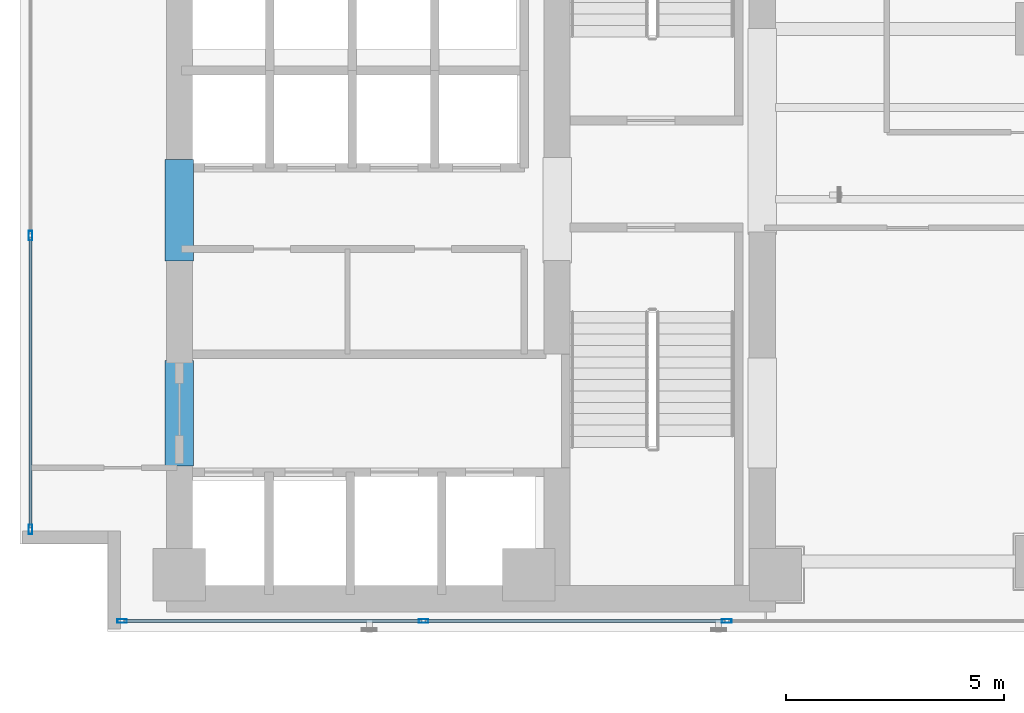
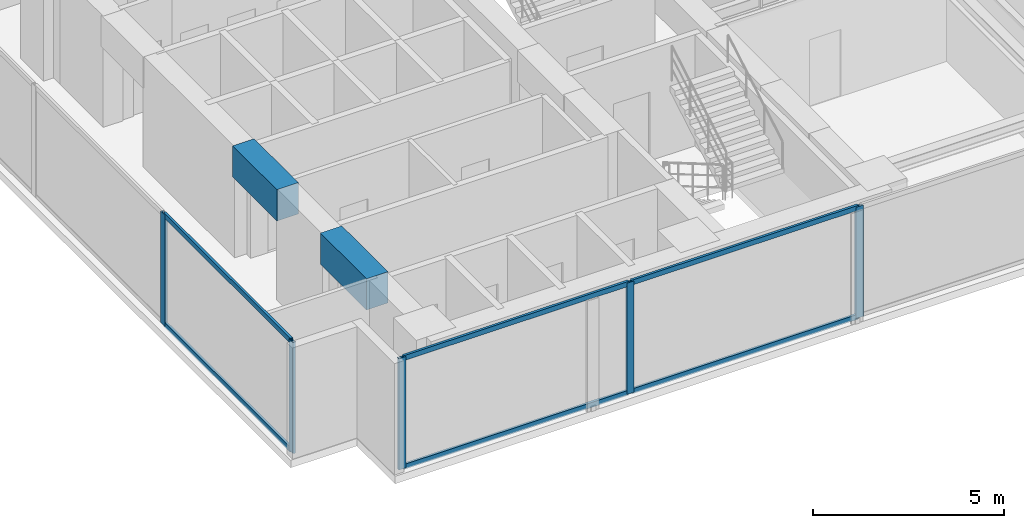
# One storey, part 2 of 24: 11 members, 2 beams, 2 elements without a shape of their own.
"""IFC4 building model written with IfcOpenShell, lengths in metres."""

import ifcopenshell
import ifcopenshell.guid

model = None  # the IFC model being written
_history = None  # IfcOwnerHistory: only IFC2X3 demands one
_inside = {}  # id of a spatial element -> (the spatial element, [elements in it])
_under = {}  # id of a project, library or spatial element -> (it, [spatial elements below it])
_declared = {}  # id of a project -> (the project, [libraries it declares])
_typed = {}  # id of a type object -> (the type object, [elements of that type])
_made_of = {}  # id of a material, layer set ... -> (it, [elements and type objects made of it])


def new_model(schema):
    """Start an empty IFC model of exactly this schema.

    Asked for "IFC4X3", IfcOpenShell would pick the latest addendum, in which some entities
    have other attributes; the version numbers below select the first issue.
    IFC2X3 requires an IfcOwnerHistory on every rooted entity: one is made here for all.
    """
    global model, _history
    if schema == "IFC4X3":
        model = ifcopenshell.file(schema_version=(4, 3, 0, 0))
    else:
        model = ifcopenshell.file(schema=schema)
    _inside.clear()
    _under.clear()
    _declared.clear()
    _typed.clear()
    _made_of.clear()
    _history = None
    if model.schema == "IFC2X3":
        org = make("IfcOrganization", Name="unknown")
        user = make(
            "IfcPersonAndOrganization",
            ThePerson=make("IfcPerson", FamilyName="unknown"),
            TheOrganization=org,
        )
        app = make(
            "IfcApplication",
            ApplicationDeveloper=org,
            Version="unknown",
            ApplicationFullName="unknown",
            ApplicationIdentifier="unknown",
        )
        _history = make(
            "IfcOwnerHistory",
            OwningUser=user,
            OwningApplication=app,
            ChangeAction="ADDED",
            CreationDate=0,
        )
    return model


def make(cls, **values):
    """One entity of the class cls with the attributes given. An attribute that is None is left unset."""
    return model.create_entity(
        cls, **{name: value for name, value in values.items() if value is not None}
    )


def rooted(cls, **values):
    """An entity with a GlobalId (a new one), such as an element, a storey or a relation."""
    return make(cls, GlobalId=ifcopenshell.guid.new(), OwnerHistory=_history, **values)


def si_unit(unit_type, name, prefix=None):
    """IfcSIUnit, for example si_unit("LENGTHUNIT", "METRE", prefix="MILLI")."""
    return make("IfcSIUnit", UnitType=unit_type, Prefix=prefix, Name=name)


def assignment(units):
    """IfcUnitAssignment: the units of a project."""
    return None if units is None else make("IfcUnitAssignment", Units=units)


def point(xyz):
    """IfcCartesianPoint."""
    return None if xyz is None else make("IfcCartesianPoint", Coordinates=xyz)


def direction(xyz):
    """IfcDirection."""
    return None if xyz is None else make("IfcDirection", DirectionRatios=xyz)


def frame(location, z_axis=None, x_axis=None):
    """IfcAxis2Placement3D, a coordinate frame: its origin and axes. An axis left out is left unset."""
    return make(
        "IfcAxis2Placement3D",
        Location=point(location),
        Axis=direction(z_axis),
        RefDirection=direction(x_axis),
    )


def frame_2d(location, x_axis=None):
    """IfcAxis2Placement2D, a coordinate frame in the plane: its origin and x axis."""
    return make(
        "IfcAxis2Placement2D", Location=point(location), RefDirection=direction(x_axis)
    )


def origin():
    """The frame at (0, 0, 0) with its axes left unset."""
    return frame((0.0, 0.0, 0.0))


def origin_with_axes():
    """The frame at (0, 0, 0) with the z axis (0, 0, 1) and the x axis (1, 0, 0) written out."""
    return frame((0.0, 0.0, 0.0), z_axis=(0.0, 0.0, 1.0), x_axis=(1.0, 0.0, 0.0))


def origin_2d():
    """The frame at (0, 0) in the plane with its x axis left unset."""
    return frame_2d((0.0, 0.0))


def place(relative_to, where):
    """IfcLocalPlacement: puts the frame where relative to a parent placement (None: the world)."""
    return make(
        "IfcLocalPlacement", PlacementRelTo=relative_to, RelativePlacement=where
    )


def context(
    kind, dimensions, precision=None, world=None, true_north=None, identifier=None
):
    """IfcGeometricRepresentationContext, for example the 3D "Model" context."""
    return make(
        "IfcGeometricRepresentationContext",
        ContextIdentifier=identifier,
        ContextType=kind,
        CoordinateSpaceDimension=dimensions,
        Precision=precision,
        WorldCoordinateSystem=world,
        TrueNorth=true_north,
    )


def subcontext(parent, identifier, kind, view, scale=None):
    """IfcGeometricRepresentationSubContext, for example "Body" below "Model"."""
    return make(
        "IfcGeometricRepresentationSubContext",
        ContextIdentifier=identifier,
        ContextType=kind,
        ParentContext=parent,
        TargetScale=scale,
        TargetView=view,
    )


def project(units=None, contexts=None):
    """IfcProject with its units and contexts."""
    return rooted(
        "IfcProject",
        Name="project",
        RepresentationContexts=contexts,
        UnitsInContext=assignment(units),
    )


def spatial(cls, under=None, at=None, **own):
    """A site, building, storey or space (cls), placed at a placement, below another one or the project."""
    s = rooted(cls, ObjectPlacement=at, **own)
    if under is not None:
        _under.setdefault(under.id(), (under, []))[1].append(s)
    return s


def profile(cls, at=None, kind="AREA", **sizes):
    """A parametric profile (cls). Its sizes go by their IFC names, for example OverallWidth=200.0."""
    return make(cls, ProfileType=kind, Position=at, **sizes)


def rectangle(**sizes):
    """IfcRectangleProfileDef."""
    return profile("IfcRectangleProfileDef", **sizes)


def hollow_rectangle(**sizes):
    """IfcRectangleHollowProfileDef."""
    return profile("IfcRectangleHollowProfileDef", **sizes)


def extrude(swept, where, along, depth):
    """IfcExtrudedAreaSolid: the profile swept, set in the frame where, extruded along a direction by depth."""
    return make(
        "IfcExtrudedAreaSolid",
        SweptArea=swept,
        Position=where,
        ExtrudedDirection=direction(along),
        Depth=depth,
    )


def shape(context_of_items, identifier, shape_type, items):
    """IfcShapeRepresentation: the items that make up one representation, for example the "Body"."""
    return make(
        "IfcShapeRepresentation",
        ContextOfItems=context_of_items,
        RepresentationIdentifier=identifier,
        RepresentationType=shape_type,
        Items=items,
    )


def source(mapping_origin, context_of_items, identifier, shape_type, items):
    """IfcRepresentationMap: a shape defined once, which mapped items show again and again."""
    return make(
        "IfcRepresentationMap",
        MappingOrigin=mapping_origin,
        MappedRepresentation=shape(context_of_items, identifier, shape_type, items),
    )


def transform(
    local_origin,
    x_axis=None,
    y_axis=None,
    z_axis=None,
    scale=None,
    scale2=None,
    scale3=None,
    uniform=True,
):
    """IfcCartesianTransformationOperator3D, or its non-uniform kind. x_axis, y_axis, z_axis: its Axis1, 2, 3."""
    if uniform:
        return make(
            "IfcCartesianTransformationOperator3D",
            Axis1=direction(x_axis),
            Axis2=direction(y_axis),
            LocalOrigin=point(local_origin),
            Scale=scale,
            Axis3=direction(z_axis),
        )
    return make(
        "IfcCartesianTransformationOperator3DnonUniform",
        Axis1=direction(x_axis),
        Axis2=direction(y_axis),
        LocalOrigin=point(local_origin),
        Scale=scale,
        Axis3=direction(z_axis),
        Scale2=scale2,
        Scale3=scale3,
    )


def mapped(mapping_source, mapping_target):
    """IfcMappedItem: shows the shape of a source again, moved by a transform."""
    return make(
        "IfcMappedItem", MappingSource=mapping_source, MappingTarget=mapping_target
    )


def material(Name=None, Category=None):
    """IfcMaterial."""
    return make("IfcMaterial", Name=Name, Category=Category)


def layer(
    of_material, thickness, ventilated=None, Name=None, Category=None, Priority=None
):
    """IfcMaterialLayer: one layer of a wall or slab, of a material (None: an air gap)."""
    return make(
        "IfcMaterialLayer",
        Material=of_material,
        LayerThickness=thickness,
        IsVentilated=ventilated,
        Name=Name,
        Category=Category,
        Priority=Priority,
    )


def layer_set(layers, Name=None):
    """IfcMaterialLayerSet."""
    return make("IfcMaterialLayerSet", MaterialLayers=layers, LayerSetName=Name)


def material_profile(
    of_material, cross_section, Name=None, Category=None, Priority=None
):
    """IfcMaterialProfile: a cross section and its material."""
    return make(
        "IfcMaterialProfile",
        Name=Name,
        Material=of_material,
        Profile=cross_section,
        Priority=Priority,
        Category=Category,
    )


def profile_set(profiles, Name=None, composite=None):
    """IfcMaterialProfileSet."""
    return make(
        "IfcMaterialProfileSet",
        Name=Name,
        MaterialProfiles=profiles,
        CompositeProfile=composite,
    )


def made_of(thing, what):
    """Note that an element or type object is made of a material, layer set ...; save() writes the relation."""
    if what is not None:
        _made_of.setdefault(what.id(), (what, []))[1].append(thing)
    return thing


def type_object(cls, material=None, **own):
    """A type object (cls), such as IfcWallType, which elements share."""
    return made_of(rooted(cls, **own), material)


def element(
    cls,
    number,
    at=None,
    inside=None,
    cuts=None,
    type_object=None,
    material=None,
    context=None,
    identifier="Body",
    shape_type=None,
    held_by="IfcProductDefinitionShape",
    body=None,
    shapes=None,
    **own,
):
    """One element of the class cls, such as IfcWall. Its Tag is "e" and its number.

    at: its placement. inside: the storey or other place that contains it. cuts: it is an
    opening in that element (IfcRelVoidsElement). A single representation is given by context,
    identifier, shape_type and body (its items); several are given by shapes. held_by: the class
    of the entity that holds the representations. save() writes the other relations.
    """
    e = rooted(cls, Tag="e%d" % number, ObjectPlacement=at, **own)
    if body is not None:
        shapes = [shape(context, identifier, shape_type, body)]
    if shapes is not None:
        e.Representation = make(held_by, Representations=shapes)
    if inside is not None:
        _inside.setdefault(inside.id(), (inside, []))[1].append(e)
    if cuts is not None:
        rooted(
            "IfcRelVoidsElement", RelatingBuildingElement=cuts, RelatedOpeningElement=e
        )
    if type_object is not None:
        _typed.setdefault(type_object.id(), (type_object, []))[1].append(e)
    return made_of(e, material)


def aggregate(whole, parts):
    """IfcRelAggregates: a whole, such as a stair, and the parts it consists of."""
    return rooted("IfcRelAggregates", RelatingObject=whole, RelatedObjects=parts)


def save(model, path):
    """Write the relations noted so far, then the file.

    IfcRelAggregates (storeys below a building ...), IfcRelContainedInSpatialStructure (elements
    in a storey), IfcRelDefinesByType, IfcRelAssociatesMaterial and IfcRelDeclares: one each for
    every whole, place, type object, material and project.
    """
    for whole, parts in _under.values():
        aggregate(whole, parts)
    for where, things in _inside.values():
        rooted(
            "IfcRelContainedInSpatialStructure",
            RelatedElements=things,
            RelatingStructure=where,
        )
    for kind, things in _typed.values():
        rooted("IfcRelDefinesByType", RelatedObjects=things, RelatingType=kind)
    for what, things in _made_of.values():
        rooted("IfcRelAssociatesMaterial", RelatedObjects=things, RelatingMaterial=what)
    for by, libraries in _declared.values():
        rooted("IfcRelDeclares", RelatingContext=by, RelatedDefinitions=libraries)
    model.write(path)


model = new_model("IFC4")

# Units and contexts
model_context = context("Model", 3, precision=1e-05, world=origin(), true_north=direction((0.0, 1.0)))
body_context = subcontext(model_context, "Body", "Model", "MODEL_VIEW")
ifc_project = project(units=[si_unit("LENGTHUNIT", "METRE"), si_unit("AREAUNIT", "SQUARE_METRE"), si_unit("VOLUMEUNIT", "CUBIC_METRE"), si_unit("PLANEANGLEUNIT", "RADIAN"), si_unit("MASSUNIT", "GRAM", prefix="KILO")], contexts=[model_context])

# Site, building, storey
site_placement = place(None, origin())
site = spatial("IfcSite", under=ifc_project, at=site_placement, CompositionType="ELEMENT")
building_placement = place(site_placement, origin())
building = spatial("IfcBuilding", under=site, at=building_placement, Name="Kolvaren Waterfront Exchange", CompositionType="ELEMENT")
storey_placement = place(building_placement, frame((0.0, 0.0, 172.800048828125)))
storey = spatial("IfcBuildingStorey", under=building, at=storey_placement, Name="L44", CompositionType="ELEMENT", Elevation=172.800048828125)

# Beams
ifc_material_1 = material(Name="Concrete C60/75", Category="concrete")
ifc_material_profile_1 = material_profile(ifc_material_1, rectangle(XDim=0.64990234375, YDim=1.0, at=origin_2d()), Name="RC-CB-1000x650")
ifc_profile_set_1 = profile_set([ifc_material_profile_1], Name="Concrete C60/75")
beam_type = type_object("IfcBeamType", Name="STR-CB-1000", PredefinedType="SPANDREL", material=ifc_profile_set_1)
beam_1_placement = place(storey_placement, frame((7.449951171875, 7.389892578125, 3.06005859375), z_axis=(0.0, 1.0, 0.0), x_axis=(-1.0, 0.0, 0.0)))
element("IfcBeam", 1, at=beam_1_placement, inside=storey, type_object=beam_type, Name="L44 core coupling beam 3", PredefinedType="SPANDREL", context=body_context, shape_type="SweptSolid", body=[
    extrude(rectangle(XDim=0.64990234375, YDim=1.0, at=origin_2d()), origin(), (0.0, 0.0, 1.0), 2.420166015625),
])
beam_2_placement = place(storey_placement, frame((7.449951171875, 12.090087890625, 3.06005859375), z_axis=(0.0, 1.0, 0.0), x_axis=(-1.0, 0.0, 0.0)))
element("IfcBeam", 2, at=beam_2_placement, inside=storey, type_object=beam_type, Name="L44 core coupling beam 4", PredefinedType="SPANDREL", context=body_context, shape_type="SweptSolid", body=[
    extrude(rectangle(XDim=0.64990234375, YDim=1.0, at=origin_2d()), origin(), (0.0, 0.0, 1.0), 2.31982421875),
])

# Curtain wall, members
ifc_material_2 = material(Name="Anodised bronze aluminium 6063-T6", Category="aluminium")
ifc_layer_1 = layer(ifc_material_2, 0.219970703125, Name="Anodised bronze aluminium 6063-T6")
ifc_layer_set_1 = layer_set([ifc_layer_1], Name="Anodised bronze aluminium 6063-T6")
curtain_wall_type_1 = type_object("IfcCurtainWallType", Name="ARC-CW-SYS1", PredefinedType="USERDEFINED", material=ifc_layer_set_1)
curtain_wall_1_placement = place(storey_placement, origin())
curtain_wall_1 = element("IfcCurtainWall", 3, at=curtain_wall_1_placement, inside=storey, type_object=curtain_wall_type_1, Name="L44 stick curtain wall CW1 (CW-L44-S)", ObjectType="STICK CURTAIN WALL", PredefinedType="USERDEFINED")
ifc_material_3 = material(Name="Anodised aluminium 6063-T6", Category="aluminium")
ifc_material_profile_2 = material_profile(ifc_material_3, hollow_rectangle(XDim=0.080078125, YDim=0.219970703125, WallThickness=0.0048828125, at=origin_2d()), Name="ALU-MUL-220x80x5")
ifc_profile_set_2 = profile_set([ifc_material_profile_2], Name="Anodised aluminium 6063-T6")
member_type_1 = type_object("IfcMemberType", Name="ARC-CWM-220", PredefinedType="MULLION", material=ifc_profile_set_2)
shared_shape_1 = source(origin_with_axes(), body_context, "Body", "SweptSolid", [
    extrude(hollow_rectangle(XDim=0.080078125, YDim=0.219970703125, WallThickness=0.0048828125, at=origin_2d()), origin(), (0.0, 0.0, 1.0), 3.56005859375),
])
member_1_placement = place(storey_placement, frame((6.139892578125, 3.840087890625, 0.0), z_axis=(0.0, 0.0, 1.0), x_axis=(0.0, 1.0, 0.0)))
member_1 = element("IfcMember", 4, at=member_1_placement, type_object=member_type_1, Name="CW1 mullion 1", PredefinedType="MULLION", context=body_context, shape_type="MappedRepresentation", body=[
    mapped(shared_shape_1, transform((0.0, 0.0, 0.0), x_axis=(1.0, 0.0, 0.0), y_axis=(0.0, 1.0, 0.0), z_axis=(0.0, 0.0, 1.0), scale=1.0)),
])
member_2_placement = place(storey_placement, frame((13.04296875, 3.840087890625, 0.0), z_axis=(0.0, 0.0, 1.0), x_axis=(0.0, 1.0, 0.0)))
member_2 = element("IfcMember", 5, at=member_2_placement, type_object=member_type_1, Name="CW1 mullion 2", PredefinedType="MULLION", context=body_context, shape_type="MappedRepresentation", body=[
    mapped(shared_shape_1, transform((0.0, 0.0, 0.0), x_axis=(1.0, 0.0, 0.0), y_axis=(0.0, 1.0, 0.0), z_axis=(0.0, 0.0, 1.0), scale=1.0)),
])
member_3_placement = place(storey_placement, frame((19.985595703125, 3.840087890625, 0.0), z_axis=(0.0, 0.0, 1.0), x_axis=(0.0, 1.0, 0.0)))
member_3 = element("IfcMember", 6, at=member_3_placement, type_object=member_type_1, Name="CW1 mullion 3", PredefinedType="MULLION", context=body_context, shape_type="MappedRepresentation", body=[
    mapped(shared_shape_1, transform((0.0, 0.0, 0.0), x_axis=(1.0, 0.0, 0.0), y_axis=(0.0, 1.0, 0.0), z_axis=(0.0, 0.0, 1.0), scale=1.0)),
])

ifc_layer_2 = layer(ifc_material_3, 0.219970703125, Name="Anodised aluminium 6063-T6")
ifc_layer_set_2 = layer_set([ifc_layer_2], Name="Anodised aluminium 6063-T6")
curtain_wall_type_2 = type_object("IfcCurtainWallType", Name="ARC-CW-SYS2", PredefinedType="USERDEFINED", material=ifc_layer_set_2)
curtain_wall_2_placement = place(storey_placement, origin())
curtain_wall_2 = element("IfcCurtainWall", 7, at=curtain_wall_2_placement, inside=storey, type_object=curtain_wall_type_2, Name="L44 stick curtain wall CW2 (CW-L44-W)", ObjectType="STICK CURTAIN WALL", PredefinedType="USERDEFINED")
member_4_placement = place(storey_placement, frame((4.0400390625, 5.93994140625, 0.0), z_axis=(0.0, 0.0, 1.0), x_axis=(-1.0, 0.0, 0.0)))
member_4 = element("IfcMember", 8, at=member_4_placement, type_object=member_type_1, Name="CW2 mullion 1", PredefinedType="MULLION", context=body_context, shape_type="MappedRepresentation", body=[
    mapped(shared_shape_1, transform((0.0, 0.0, 0.0), x_axis=(1.0, 0.0, 0.0), y_axis=(0.0, 1.0, 0.0), z_axis=(0.0, 0.0, 1.0), scale=1.0)),
])
member_5_placement = place(storey_placement, frame((4.0400390625, 12.666748046875, 0.0), z_axis=(0.0, 0.0, 1.0), x_axis=(-1.0, 0.0, 0.0)))
member_5 = element("IfcMember", 9, at=member_5_placement, type_object=member_type_1, Name="CW2 mullion 2", PredefinedType="MULLION", context=body_context, shape_type="MappedRepresentation", body=[
    mapped(shared_shape_1, transform((0.0, 0.0, 0.0), x_axis=(1.0, 0.0, 0.0), y_axis=(0.0, 1.0, 0.0), z_axis=(0.0, 0.0, 1.0), scale=1.0)),
])

# Member
ifc_material_profile_3 = material_profile(ifc_material_3, hollow_rectangle(XDim=0.074951171875, YDim=0.159912109375, WallThickness=0.00439453125, at=origin_2d()), Name="ALU-TRN-160x75x4.5")
ifc_profile_set_3 = profile_set([ifc_material_profile_3], Name="Anodised aluminium 6063-T6")
member_type_2 = type_object("IfcMemberType", Name="ARC-CWT-160", PredefinedType="USERDEFINED", material=ifc_profile_set_3)
shared_shape_2 = source(origin_with_axes(), body_context, "Body", "SweptSolid", [
    extrude(hollow_rectangle(XDim=0.074951171875, YDim=0.159912109375, WallThickness=0.00439453125, at=origin_2d()), origin(), (0.0, 0.0, 1.0), 6.822998046875),
])
member_6_placement = place(storey_placement, frame((6.179931640625, 3.840087890625, 0.037353515625), z_axis=(1.0, 0.0, 0.0), x_axis=(0.0, 1.0, 0.0)))
member_6 = element("IfcMember", 10, at=member_6_placement, type_object=member_type_2, Name="CW1 transom 1.1", ObjectType="TRANSOM", PredefinedType="USERDEFINED", context=body_context, shape_type="MappedRepresentation", body=[
    mapped(shared_shape_2, transform((0.0, 0.0, 0.0), x_axis=(1.0, 0.0, 0.0), y_axis=(0.0, 1.0, 0.0), z_axis=(0.0, 0.0, 1.0), scale=1.0)),
])

member_7_placement = place(storey_placement, frame((6.179931640625, 3.840087890625, 3.5224609375), z_axis=(1.0, 0.0, 0.0), x_axis=(0.0, 1.0, 0.0)))
member_7 = element("IfcMember", 11, at=member_7_placement, type_object=member_type_2, Name="CW1 transom 1.2", ObjectType="TRANSOM", PredefinedType="USERDEFINED", context=body_context, shape_type="MappedRepresentation", body=[
    mapped(shared_shape_2, transform((0.0, 0.0, 0.0), x_axis=(1.0, 0.0, 0.0), y_axis=(0.0, 1.0, 0.0), z_axis=(0.0, 0.0, 1.0), scale=1.0)),
])

shared_shape_3 = source(origin_with_axes(), body_context, "Body", "SweptSolid", [
    extrude(hollow_rectangle(XDim=0.074951171875, YDim=0.159912109375, WallThickness=0.00439453125, at=origin_2d()), origin(), (0.0, 0.0, 1.0), 6.863037109375),
])
member_8_placement = place(storey_placement, frame((13.082763671875, 3.840087890625, 0.037353515625), z_axis=(1.0, 0.0, 0.0), x_axis=(0.0, 1.0, 0.0)))
member_8 = element("IfcMember", 12, at=member_8_placement, type_object=member_type_2, Name="CW1 transom 2.1", ObjectType="TRANSOM", PredefinedType="USERDEFINED", context=body_context, shape_type="MappedRepresentation", body=[
    mapped(shared_shape_3, transform((0.0, 0.0, 0.0), x_axis=(1.0, 0.0, 0.0), y_axis=(0.0, 1.0, 0.0), z_axis=(0.0, 0.0, 1.0), scale=1.0)),
])

member_9_placement = place(storey_placement, frame((13.082763671875, 3.840087890625, 3.5224609375), z_axis=(1.0, 0.0, 0.0), x_axis=(0.0, 1.0, 0.0)))
member_9 = element("IfcMember", 13, at=member_9_placement, type_object=member_type_2, Name="CW1 transom 2.2", ObjectType="TRANSOM", PredefinedType="USERDEFINED", context=body_context, shape_type="MappedRepresentation", body=[
    mapped(shared_shape_3, transform((0.0, 0.0, 0.0), x_axis=(1.0, 0.0, 0.0), y_axis=(0.0, 1.0, 0.0), z_axis=(0.0, 0.0, 1.0), scale=1.0)),
])

aggregate(curtain_wall_1, [member_1, member_2, member_3, member_6, member_7, member_8, member_9])

shared_shape_4 = source(origin_with_axes(), body_context, "Body", "SweptSolid", [
    extrude(hollow_rectangle(XDim=0.074951171875, YDim=0.159912109375, WallThickness=0.00439453125, at=origin_2d()), origin(), (0.0, 0.0, 1.0), 6.646728515625),
])
member_10_placement = place(storey_placement, frame((4.0400390625, 5.97998046875, 0.037353515625), z_axis=(0.0, 1.0, 0.0), x_axis=(-1.0, 0.0, 0.0)))
member_10 = element("IfcMember", 14, at=member_10_placement, type_object=member_type_2, Name="CW2 transom 1.1", ObjectType="TRANSOM", PredefinedType="USERDEFINED", context=body_context, shape_type="MappedRepresentation", body=[
    mapped(shared_shape_4, transform((0.0, 0.0, 0.0), x_axis=(1.0, 0.0, 0.0), y_axis=(0.0, 1.0, 0.0), z_axis=(0.0, 0.0, 1.0), scale=1.0)),
])

member_11_placement = place(storey_placement, frame((4.0400390625, 5.97998046875, 3.5224609375), z_axis=(0.0, 1.0, 0.0), x_axis=(-1.0, 0.0, 0.0)))
member_11 = element("IfcMember", 15, at=member_11_placement, type_object=member_type_2, Name="CW2 transom 1.2", ObjectType="TRANSOM", PredefinedType="USERDEFINED", context=body_context, shape_type="MappedRepresentation", body=[
    mapped(shared_shape_4, transform((0.0, 0.0, 0.0), x_axis=(1.0, 0.0, 0.0), y_axis=(0.0, 1.0, 0.0), z_axis=(0.0, 0.0, 1.0), scale=1.0)),
])

aggregate(curtain_wall_2, [member_4, member_5, member_10, member_11])

save(model, "model.ifc")
